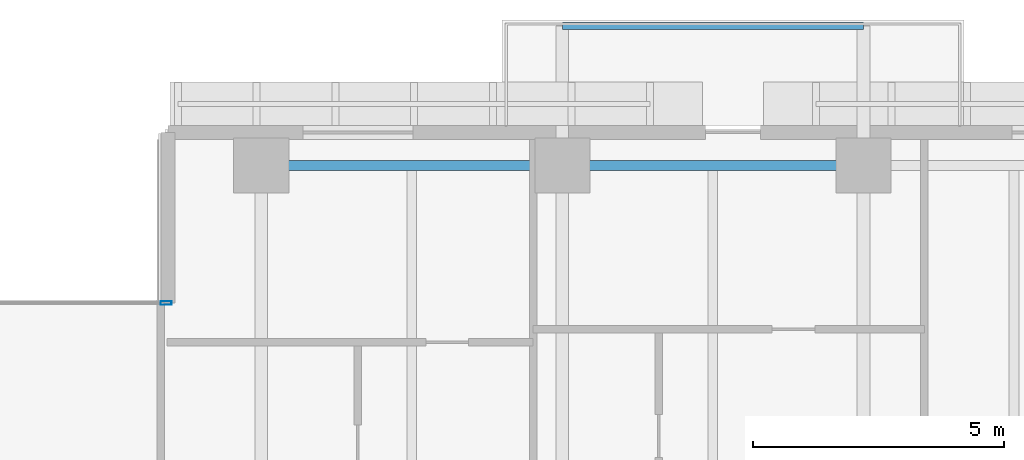
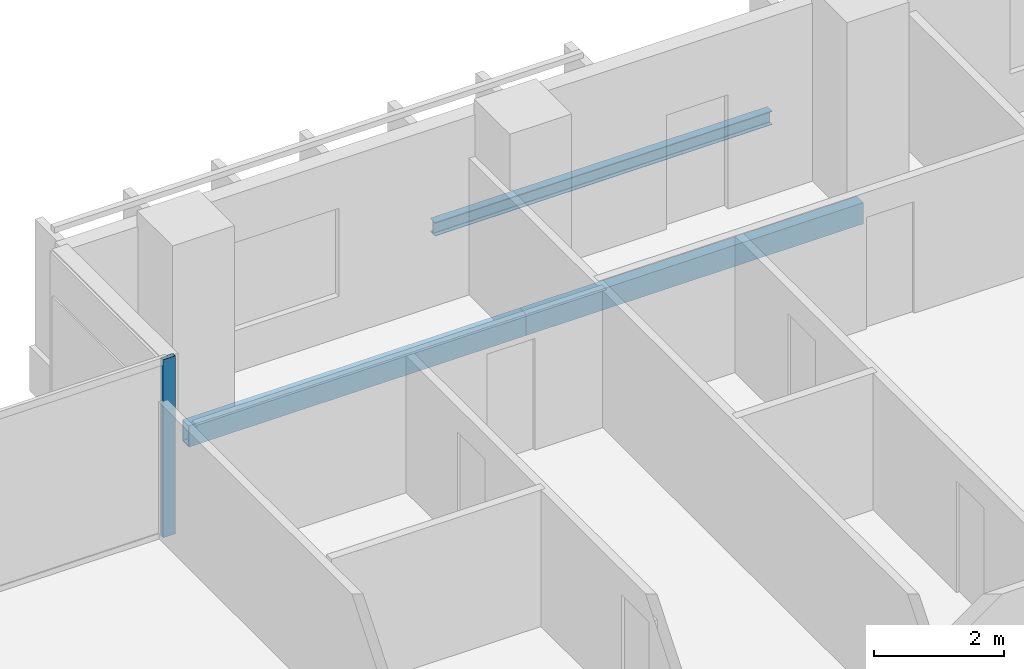
# One storey, part 8 of 25: 3 beams, 1 member, 1 element without a shape of its own.
"""IFC4 building model written with IfcOpenShell, lengths in metres."""

import ifcopenshell
import ifcopenshell.guid

model = None  # the IFC model being written
_history = None  # IfcOwnerHistory: only IFC2X3 demands one
_inside = {}  # id of a spatial element -> (the spatial element, [elements in it])
_under = {}  # id of a project, library or spatial element -> (it, [spatial elements below it])
_declared = {}  # id of a project -> (the project, [libraries it declares])
_typed = {}  # id of a type object -> (the type object, [elements of that type])
_made_of = {}  # id of a material, layer set ... -> (it, [elements and type objects made of it])


def new_model(schema):
    """Start an empty IFC model of exactly this schema.

    Asked for "IFC4X3", IfcOpenShell would pick the latest addendum, in which some entities
    have other attributes; the version numbers below select the first issue.
    IFC2X3 requires an IfcOwnerHistory on every rooted entity: one is made here for all.
    """
    global model, _history
    if schema == "IFC4X3":
        model = ifcopenshell.file(schema_version=(4, 3, 0, 0))
    else:
        model = ifcopenshell.file(schema=schema)
    _inside.clear()
    _under.clear()
    _declared.clear()
    _typed.clear()
    _made_of.clear()
    _history = None
    if model.schema == "IFC2X3":
        org = make("IfcOrganization", Name="unknown")
        user = make(
            "IfcPersonAndOrganization",
            ThePerson=make("IfcPerson", FamilyName="unknown"),
            TheOrganization=org,
        )
        app = make(
            "IfcApplication",
            ApplicationDeveloper=org,
            Version="unknown",
            ApplicationFullName="unknown",
            ApplicationIdentifier="unknown",
        )
        _history = make(
            "IfcOwnerHistory",
            OwningUser=user,
            OwningApplication=app,
            ChangeAction="ADDED",
            CreationDate=0,
        )
    return model


def make(cls, **values):
    """One entity of the class cls with the attributes given. An attribute that is None is left unset."""
    return model.create_entity(
        cls, **{name: value for name, value in values.items() if value is not None}
    )


def rooted(cls, **values):
    """An entity with a GlobalId (a new one), such as an element, a storey or a relation."""
    return make(cls, GlobalId=ifcopenshell.guid.new(), OwnerHistory=_history, **values)


def si_unit(unit_type, name, prefix=None):
    """IfcSIUnit, for example si_unit("LENGTHUNIT", "METRE", prefix="MILLI")."""
    return make("IfcSIUnit", UnitType=unit_type, Prefix=prefix, Name=name)


def assignment(units):
    """IfcUnitAssignment: the units of a project."""
    return None if units is None else make("IfcUnitAssignment", Units=units)


def point(xyz):
    """IfcCartesianPoint."""
    return None if xyz is None else make("IfcCartesianPoint", Coordinates=xyz)


def direction(xyz):
    """IfcDirection."""
    return None if xyz is None else make("IfcDirection", DirectionRatios=xyz)


def frame(location, z_axis=None, x_axis=None):
    """IfcAxis2Placement3D, a coordinate frame: its origin and axes. An axis left out is left unset."""
    return make(
        "IfcAxis2Placement3D",
        Location=point(location),
        Axis=direction(z_axis),
        RefDirection=direction(x_axis),
    )


def frame_2d(location, x_axis=None):
    """IfcAxis2Placement2D, a coordinate frame in the plane: its origin and x axis."""
    return make(
        "IfcAxis2Placement2D", Location=point(location), RefDirection=direction(x_axis)
    )


def origin():
    """The frame at (0, 0, 0) with its axes left unset."""
    return frame((0.0, 0.0, 0.0))


def origin_2d():
    """The frame at (0, 0) in the plane with its x axis left unset."""
    return frame_2d((0.0, 0.0))


def place(relative_to, where):
    """IfcLocalPlacement: puts the frame where relative to a parent placement (None: the world)."""
    return make(
        "IfcLocalPlacement", PlacementRelTo=relative_to, RelativePlacement=where
    )


def context(
    kind, dimensions, precision=None, world=None, true_north=None, identifier=None
):
    """IfcGeometricRepresentationContext, for example the 3D "Model" context."""
    return make(
        "IfcGeometricRepresentationContext",
        ContextIdentifier=identifier,
        ContextType=kind,
        CoordinateSpaceDimension=dimensions,
        Precision=precision,
        WorldCoordinateSystem=world,
        TrueNorth=true_north,
    )


def subcontext(parent, identifier, kind, view, scale=None):
    """IfcGeometricRepresentationSubContext, for example "Body" below "Model"."""
    return make(
        "IfcGeometricRepresentationSubContext",
        ContextIdentifier=identifier,
        ContextType=kind,
        ParentContext=parent,
        TargetScale=scale,
        TargetView=view,
    )


def project(units=None, contexts=None):
    """IfcProject with its units and contexts."""
    return rooted(
        "IfcProject",
        Name="project",
        RepresentationContexts=contexts,
        UnitsInContext=assignment(units),
    )


def spatial(cls, under=None, at=None, **own):
    """A site, building, storey or space (cls), placed at a placement, below another one or the project."""
    s = rooted(cls, ObjectPlacement=at, **own)
    if under is not None:
        _under.setdefault(under.id(), (under, []))[1].append(s)
    return s


def profile(cls, at=None, kind="AREA", **sizes):
    """A parametric profile (cls). Its sizes go by their IFC names, for example OverallWidth=200.0."""
    return make(cls, ProfileType=kind, Position=at, **sizes)


def hollow_rectangle(**sizes):
    """IfcRectangleHollowProfileDef."""
    return profile("IfcRectangleHollowProfileDef", **sizes)


def i_section(**sizes):
    """IfcIShapeProfileDef."""
    return profile("IfcIShapeProfileDef", **sizes)


def extrude(swept, where, along, depth):
    """IfcExtrudedAreaSolid: the profile swept, set in the frame where, extruded along a direction by depth."""
    return make(
        "IfcExtrudedAreaSolid",
        SweptArea=swept,
        Position=where,
        ExtrudedDirection=direction(along),
        Depth=depth,
    )


def shape(context_of_items, identifier, shape_type, items):
    """IfcShapeRepresentation: the items that make up one representation, for example the "Body"."""
    return make(
        "IfcShapeRepresentation",
        ContextOfItems=context_of_items,
        RepresentationIdentifier=identifier,
        RepresentationType=shape_type,
        Items=items,
    )


def material(Name=None, Category=None):
    """IfcMaterial."""
    return make("IfcMaterial", Name=Name, Category=Category)


def layer(
    of_material, thickness, ventilated=None, Name=None, Category=None, Priority=None
):
    """IfcMaterialLayer: one layer of a wall or slab, of a material (None: an air gap)."""
    return make(
        "IfcMaterialLayer",
        Material=of_material,
        LayerThickness=thickness,
        IsVentilated=ventilated,
        Name=Name,
        Category=Category,
        Priority=Priority,
    )


def layer_set(layers, Name=None):
    """IfcMaterialLayerSet."""
    return make("IfcMaterialLayerSet", MaterialLayers=layers, LayerSetName=Name)


def material_profile(
    of_material, cross_section, Name=None, Category=None, Priority=None
):
    """IfcMaterialProfile: a cross section and its material."""
    return make(
        "IfcMaterialProfile",
        Name=Name,
        Material=of_material,
        Profile=cross_section,
        Priority=Priority,
        Category=Category,
    )


def profile_set(profiles, Name=None, composite=None):
    """IfcMaterialProfileSet."""
    return make(
        "IfcMaterialProfileSet",
        Name=Name,
        MaterialProfiles=profiles,
        CompositeProfile=composite,
    )


def made_of(thing, what):
    """Note that an element or type object is made of a material, layer set ...; save() writes the relation."""
    if what is not None:
        _made_of.setdefault(what.id(), (what, []))[1].append(thing)
    return thing


def type_object(cls, material=None, **own):
    """A type object (cls), such as IfcWallType, which elements share."""
    return made_of(rooted(cls, **own), material)


def element(
    cls,
    number,
    at=None,
    inside=None,
    cuts=None,
    type_object=None,
    material=None,
    context=None,
    identifier="Body",
    shape_type=None,
    held_by="IfcProductDefinitionShape",
    body=None,
    shapes=None,
    **own,
):
    """One element of the class cls, such as IfcWall. Its Tag is "e" and its number.

    at: its placement. inside: the storey or other place that contains it. cuts: it is an
    opening in that element (IfcRelVoidsElement). A single representation is given by context,
    identifier, shape_type and body (its items); several are given by shapes. held_by: the class
    of the entity that holds the representations. save() writes the other relations.
    """
    e = rooted(cls, Tag="e%d" % number, ObjectPlacement=at, **own)
    if body is not None:
        shapes = [shape(context, identifier, shape_type, body)]
    if shapes is not None:
        e.Representation = make(held_by, Representations=shapes)
    if inside is not None:
        _inside.setdefault(inside.id(), (inside, []))[1].append(e)
    if cuts is not None:
        rooted(
            "IfcRelVoidsElement", RelatingBuildingElement=cuts, RelatedOpeningElement=e
        )
    if type_object is not None:
        _typed.setdefault(type_object.id(), (type_object, []))[1].append(e)
    return made_of(e, material)


def aggregate(whole, parts):
    """IfcRelAggregates: a whole, such as a stair, and the parts it consists of."""
    return rooted("IfcRelAggregates", RelatingObject=whole, RelatedObjects=parts)


def save(model, path):
    """Write the relations noted so far, then the file.

    IfcRelAggregates (storeys below a building ...), IfcRelContainedInSpatialStructure (elements
    in a storey), IfcRelDefinesByType, IfcRelAssociatesMaterial and IfcRelDeclares: one each for
    every whole, place, type object, material and project.
    """
    for whole, parts in _under.values():
        aggregate(whole, parts)
    for where, things in _inside.values():
        rooted(
            "IfcRelContainedInSpatialStructure",
            RelatedElements=things,
            RelatingStructure=where,
        )
    for kind, things in _typed.values():
        rooted("IfcRelDefinesByType", RelatedObjects=things, RelatingType=kind)
    for what, things in _made_of.values():
        rooted("IfcRelAssociatesMaterial", RelatedObjects=things, RelatingMaterial=what)
    for by, libraries in _declared.values():
        rooted("IfcRelDeclares", RelatingContext=by, RelatedDefinitions=libraries)
    model.write(path)


model = new_model("IFC4")

# Units and contexts
model_context = context("Model", 3, precision=1e-05, world=origin(), true_north=direction((0.0, 1.0)))
body_context = subcontext(model_context, "Body", "Model", "MODEL_VIEW")
ifc_project = project(units=[si_unit("LENGTHUNIT", "METRE"), si_unit("AREAUNIT", "SQUARE_METRE"), si_unit("VOLUMEUNIT", "CUBIC_METRE"), si_unit("PLANEANGLEUNIT", "RADIAN"), si_unit("MASSUNIT", "GRAM", prefix="KILO")], contexts=[model_context])

# Site, building, storey
site_placement = place(None, origin())
site = spatial("IfcSite", under=ifc_project, at=site_placement, CompositionType="ELEMENT")
building_placement = place(site_placement, origin())
building = spatial("IfcBuilding", under=site, at=building_placement, Name="Tanjung Sevakor Pilgrim Tower", CompositionType="ELEMENT")
storey_placement = place(building_placement, frame((0.0, 0.0, 69.6298828125)))
storey = spatial("IfcBuildingStorey", under=building, at=storey_placement, Name="L19", CompositionType="ELEMENT", Elevation=69.6298828125)

# Beams
ifc_material_1 = material(Name="Steel S355J2", Category="steel")
ifc_material_profile_1 = material_profile(ifc_material_1, i_section(OverallWidth=0.146484375, OverallDepth=0.256103515625, WebThickness=0.00634765625, FlangeThickness=0.010986328125, FilletRadius=0.007568359375, at=origin_2d()))
ifc_profile_set_1 = profile_set([ifc_material_profile_1], Name="Steel S355J2")
beam_type_1 = type_object("IfcBeamType", Name="BM-B-J6-UB_254x146x37", PredefinedType="JOIST", material=ifc_profile_set_1)
beam_placement = place(storey_placement, frame((60.0, 61.580078125, -0.327880859375), z_axis=(1.0, 0.0, 0.0), x_axis=(0.0, 1.0, 0.0)))
element("IfcBeam", 1, at=beam_placement, inside=storey, type_object=beam_type_1, Name="L19 Balcony Rim Tie MAIN-N2", PredefinedType="JOIST", context=body_context, shape_type="SweptSolid", body=[
    extrude(i_section(OverallWidth=0.146484375, OverallDepth=0.256103515625, WebThickness=0.00634765625, FlangeThickness=0.010986328125, FilletRadius=0.007568359375, at=origin_2d()), origin(), (0.0, 0.0, 1.0), 6.0),
])
ifc_material_2 = material(Name="Steel S355J2", Category="steel")
ifc_material_profile_2 = material_profile(ifc_material_2, hollow_rectangle(XDim=0.199951171875, YDim=0.39990234375, WallThickness=0.01611328125, at=origin_2d()))
ifc_profile_set_2 = profile_set([ifc_material_profile_2], Name="Steel S355J2")
beam_type_2 = type_object("IfcBeamType", Name="BM-B-SP2-RHS_400x200x16", PredefinedType="SPANDREL", material=ifc_profile_set_2)
for number, where, z_axis, x_axis, name in (
    (2, (54.0, 58.800048828125, -0.419921875), (1.0, 0.0, 0.0), (0.0, 1.0, 0.0), "L19 Spandrel MAIN N-08"),
    (3, (60.0, 58.800048828125, -0.419921875), (1.0, 0.0, 0.0), (0.0, 1.0, 0.0), "L19 Spandrel MAIN N-10"),
):
    element("IfcBeam", number, at=place(storey_placement, frame(where, z_axis=z_axis, x_axis=x_axis)), inside=storey, type_object=beam_type_2, Name=name, PredefinedType="SPANDREL", context=body_context, shape_type="SweptSolid", body=[
        extrude(hollow_rectangle(XDim=0.199951171875, YDim=0.39990234375, WallThickness=0.01611328125, at=origin_2d()), origin(), (0.0, 0.0, 1.0), 6.0),
    ])

# Curtain wall, member
ifc_material_3 = material(Name="Aluminium 6063-T6 and Low-E Glass", Category="aluminium")
ifc_layer = layer(ifc_material_3, 0.179931640625)
ifc_layer_set = layer_set([ifc_layer], Name="CW-SYS-CLEFT")
curtain_wall_type = type_object("IfcCurtainWallType", Name="CW-SYS-CLEFT", PredefinedType="NOTDEFINED", material=ifc_layer_set)
curtain_wall_placement = place(storey_placement, origin())
curtain_wall = element("IfcCurtainWall", 4, at=curtain_wall_placement, inside=storey, type_object=curtain_wall_type, Name="L19 Curtain Wall CW-CLF-L19-10", PredefinedType="NOTDEFINED")
ifc_material_4 = material(Name="Aluminium 6063-T6", Category="aluminium")
ifc_material_profile_3 = material_profile(ifc_material_4, hollow_rectangle(XDim=0.074951171875, YDim=0.219970703125, WallThickness=0.0048828125, at=origin_2d()))
ifc_profile_set_3 = profile_set([ifc_material_profile_3], Name="Aluminium 6063-T6")
member_type = type_object("IfcMemberType", Name="TYPE-CWM-2", PredefinedType="MULLION", material=ifc_profile_set_3)
member_placement = place(storey_placement, frame((52.1025390625, 56.06005859375, 0.0), z_axis=(0.0, 0.0, 1.0), x_axis=(0.0, -1.0, 0.0)))
member = element("IfcMember", 5, at=member_placement, type_object=member_type, Name="CW-CLF mullion 1", PredefinedType="MULLION", context=body_context, shape_type="SweptSolid", body=[
    extrude(hollow_rectangle(XDim=0.074951171875, YDim=0.219970703125, WallThickness=0.0048828125, at=origin_2d()), origin(), (0.0, 0.0, 1.0), 3.35009765625),
])
aggregate(curtain_wall, [member])

save(model, "model.ifc")
